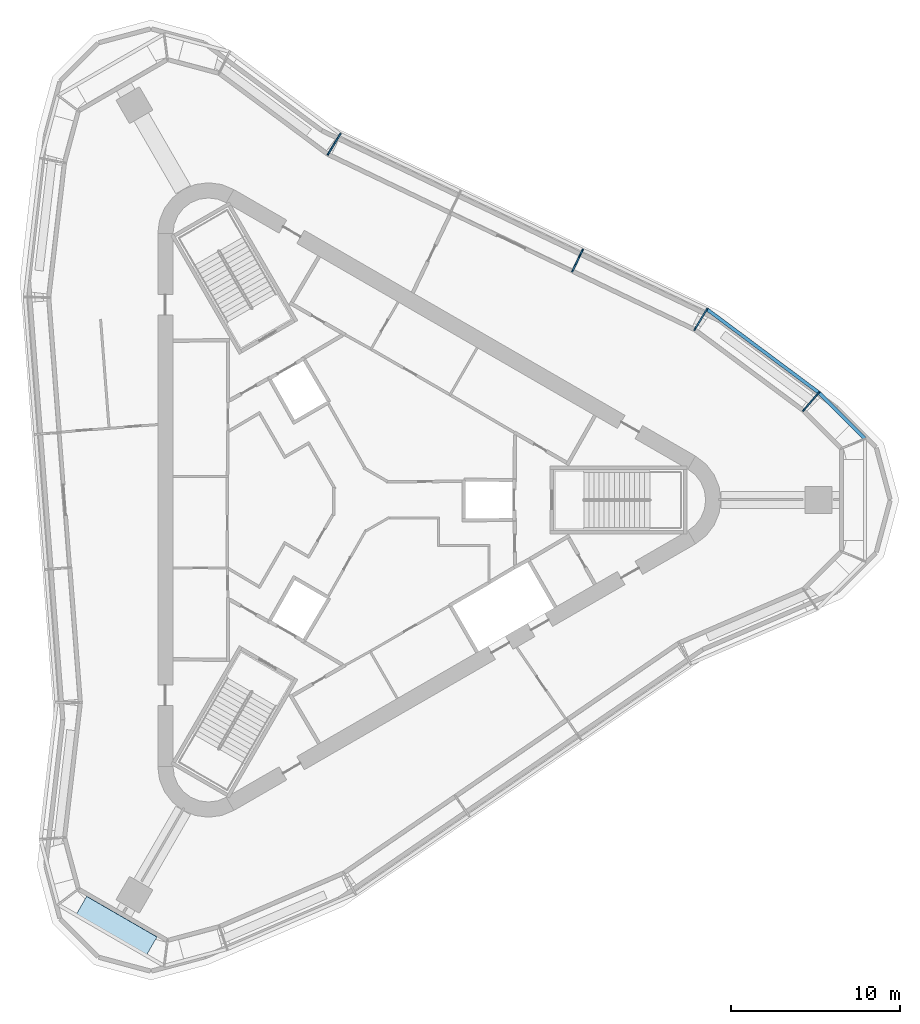
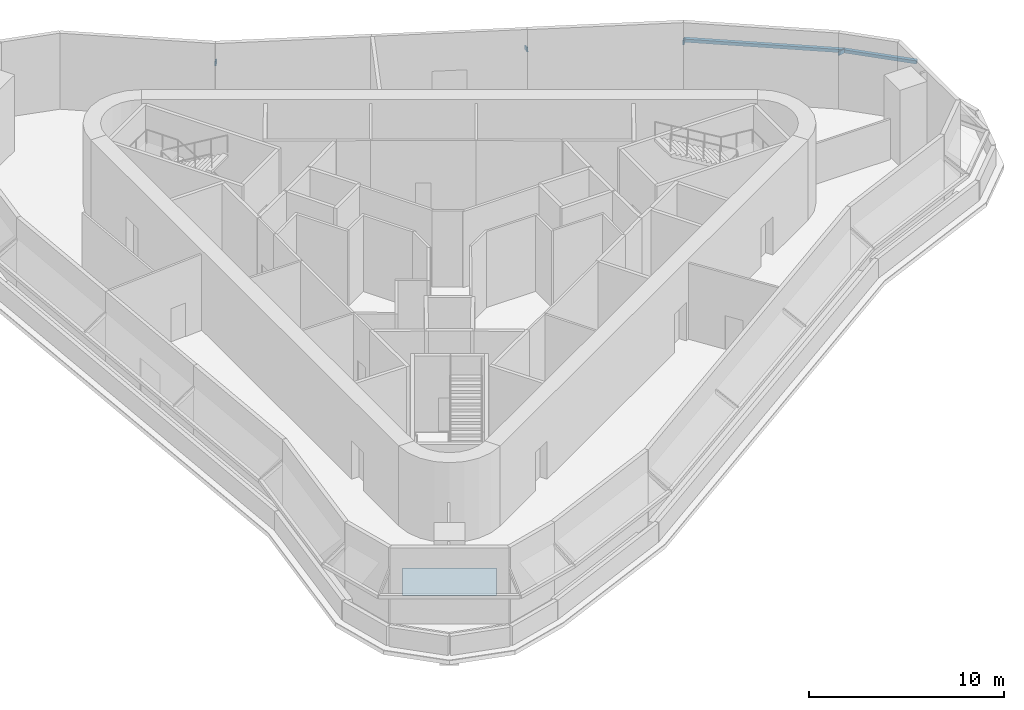
# One storey, part 2 of 8: 6 members, 1 plate, 1 element without a shape of its own.
"""IFC4 building model written with IfcOpenShell, lengths in metres."""

from ifc_helpers import new_model, si_unit, direction, frame, origin, origin_2d, place, context, subcontext, project, spatial, polyline, rectangle, outline, extrude, material, layer, layer_set, material_profile, profile_set, type_object, element, aggregate, save


model = new_model("IFC4")

# Units and contexts
model_context = context("Model", 3, precision=1e-05, world=origin(), true_north=direction((0.0, 1.0)))
body_context = subcontext(model_context, "Body", "Model", "MODEL_VIEW")
ifc_project = project(units=[si_unit("LENGTHUNIT", "METRE"), si_unit("AREAUNIT", "SQUARE_METRE"), si_unit("VOLUMEUNIT", "CUBIC_METRE"), si_unit("PLANEANGLEUNIT", "RADIAN"), si_unit("MASSUNIT", "GRAM", prefix="KILO")], contexts=[model_context])

# Site, building, storey
site_placement = place(None, origin())
site = spatial("IfcSite", under=ifc_project, at=site_placement, CompositionType="ELEMENT")
building_placement = place(site_placement, origin())
building = spatial("IfcBuilding", under=site, at=building_placement, Name="Tanit Gate Tower", CompositionType="ELEMENT")
storey_placement = place(building_placement, frame((0.0, 0.0, 415.300048828125)))
storey = spatial("IfcBuildingStorey", under=building, at=storey_placement, Name="L94", CompositionType="ELEMENT", Elevation=415.300048828125)

# Curtain wall, members, plate
ifc_material_1 = material(Name="Aluminium bronze anodised and glass", Category="aluminium")
curtain_wall_type = type_object("IfcCurtainWallType", Name="Curtain wall crown roof", PredefinedType="NOTDEFINED", material=ifc_material_1)
curtain_wall_placement = place(storey_placement, origin())
curtain_wall = element("IfcCurtainWall", 1, at=curtain_wall_placement, inside=storey, type_object=curtain_wall_type, Name="Glass roof L94", PredefinedType="NOTDEFINED")
ifc_material_2 = material(Name="Aluminium bronze anodised", Category="aluminium")
ifc_material_profile_1 = material_profile(ifc_material_2, rectangle(XDim=0.080078125, YDim=0.219970703125, at=origin_2d()), Name="80x220 bronze rafter")
ifc_profile_set_1 = profile_set([ifc_material_profile_1], Name="Aluminium bronze anodised")
member_type_1 = type_object("IfcMemberType", Name="Mullion 80x220 crown roof", PredefinedType="MULLION", material=ifc_profile_set_1)
member_1_placement = place(storey_placement, frame((26.078857421875, 5.284423828125, 3.408203125), z_axis=(0.566750384547, 0.65553122936, -0.499071947669), x_axis=(-0.756474810112, 0.654022829621, 0.0)))
member_1 = element("IfcMember", 2, at=member_1_placement, type_object=member_type_1, Name="Roof rafter L94 NE1.1", PredefinedType="MULLION", context=body_context, shape_type="SweptSolid", body=[
    extrude(rectangle(XDim=0.080078125, YDim=0.219970703125, at=origin_2d()), origin(), (0.0, 0.0, 1.0), 1.61962890625),
])
member_2_placement = place(storey_placement, frame((19.646728515625, 10.0751953125, 3.408203125), z_axis=(0.447987179673, 0.742331460304, -0.498248421866), x_axis=(-0.856173099661, 0.516689097444, 0.0)))
member_2 = element("IfcMember", 3, at=member_2_placement, type_object=member_type_1, Name="Roof rafter L94 NE1.2", PredefinedType="MULLION", context=body_context, shape_type="SweptSolid", body=[
    extrude(rectangle(XDim=0.080078125, YDim=0.219970703125, at=origin_2d()), origin(), (0.0, 0.0, 1.0), 1.622314453125),
])
member_3_placement = place(storey_placement, frame((12.418701171875, 13.5283203125, 3.408203125), z_axis=(0.373331354962, 0.781398232433, -0.500040500113), x_axis=(-0.902305323306, 0.431097556864, 0.0)))
member_3 = element("IfcMember", 4, at=member_3_placement, type_object=member_type_1, Name="Roof rafter L94 NE2.2", PredefinedType="MULLION", context=body_context, shape_type="SweptSolid", body=[
    extrude(rectangle(XDim=0.080078125, YDim=0.219970703125, at=origin_2d()), origin(), (0.0, 0.0, 1.0), 1.616455078125),
])
member_4_placement = place(storey_placement, frame((-2.037353515625, 20.4345703125, 3.408203125), z_axis=(0.447987179673, 0.742331460304, -0.498248421866), x_axis=(-0.856173099661, 0.516689097444, 0.0)))
member_4 = element("IfcMember", 5, at=member_4_placement, type_object=member_type_1, Name="Roof rafter L94 NE2.4", PredefinedType="MULLION", context=body_context, shape_type="SweptSolid", body=[
    extrude(rectangle(XDim=0.080078125, YDim=0.219970703125, at=origin_2d()), origin(), (0.0, 0.0, 1.0), 1.622314453125),
])
ifc_material_3 = material(Name="Aluminium bronze anodised", Category="aluminium")
ifc_material_profile_2 = material_profile(ifc_material_3, rectangle(XDim=0.199951171875, YDim=0.199951171875, at=origin_2d()), Name="200x200 bronze transom")
ifc_profile_set_2 = profile_set([ifc_material_profile_2], Name="Aluminium bronze anodised")
member_type_2 = type_object("IfcMemberType", Name="Transom 200x200 crown roof", PredefinedType="USERDEFINED", material=ifc_profile_set_2)
member_5_placement = place(storey_placement, frame((26.996826171875, 6.34619140625, 2.626953125), z_axis=(-0.801978627818, 0.597352727057, 0.0), x_axis=(-0.597352727057, -0.801978627818, 0.0)))
member_5 = element("IfcMember", 6, at=member_5_placement, type_object=member_type_2, Name="Eave beam L94 NE1", ObjectType="TRANSOM", PredefinedType="USERDEFINED", context=body_context, shape_type="SweptSolid", body=[
    extrude(rectangle(XDim=0.199951171875, YDim=0.199951171875, at=origin_2d()), origin(), (0.0, 0.0, 1.0), 8.2587890625),
])
member_6_placement = place(storey_placement, frame((29.721923828125, 3.621337890625, 2.626953125), z_axis=(-0.707138456631, 0.707075104323, 0.0), x_axis=(-0.707075104323, -0.707138456631, 0.0)))
member_6 = element("IfcMember", 7, at=member_6_placement, type_object=member_type_2, Name="Eave beam L94 E.arc3", ObjectType="TRANSOM", PredefinedType="USERDEFINED", context=body_context, shape_type="SweptSolid", body=[
    extrude(rectangle(XDim=0.199951171875, YDim=0.199951171875, at=origin_2d()), origin(), (0.0, 0.0, 1.0), 3.853759765625),
])
ifc_material_4 = material(Name="Glass tinted laminated safety", Category="glass")
ifc_layer = layer(ifc_material_4, 0.033935546875)
ifc_layer_set = layer_set([ifc_layer], Name="Glass panel 34 crown roof")
plate_type = type_object("IfcPlateType", Name="Glass panel 34 crown roof", PredefinedType="CURTAIN_PANEL", material=ifc_layer_set)
plate_placement = place(storey_placement, frame((-16.306640625, -23.441162109375, 3.498291015625), z_axis=(-0.250016180257, -0.433054662773, 0.865999750958), x_axis=(0.866032371008, -0.49998793222, 0.0)))
plate = element("IfcPlate", 8, at=plate_placement, type_object=plate_type, Name="Roof glass panel L94 SW.arc2.1", PredefinedType="CURTAIN_PANEL", context=body_context, shape_type="SweptSolid", body=[
    extrude(outline(polyline([(0.0, 0.0), (4.802850294478862, 2.220446049250313e-16), (4.802862456538534, -1.5472257967273055), (1.2162059672563841e-05, -1.5472257967273055), (0.0, 0.0)])), origin(), (0.0, 0.0, -1.0), 0.033935546875),
])
aggregate(curtain_wall, [member_1, member_2, member_5, member_3, member_4, plate, member_6])

save(model, "model.ifc")
